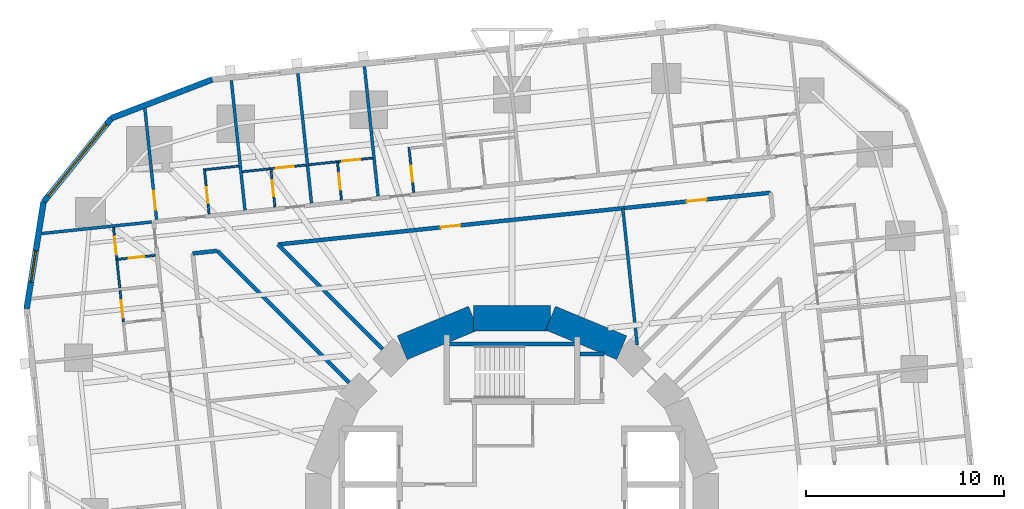
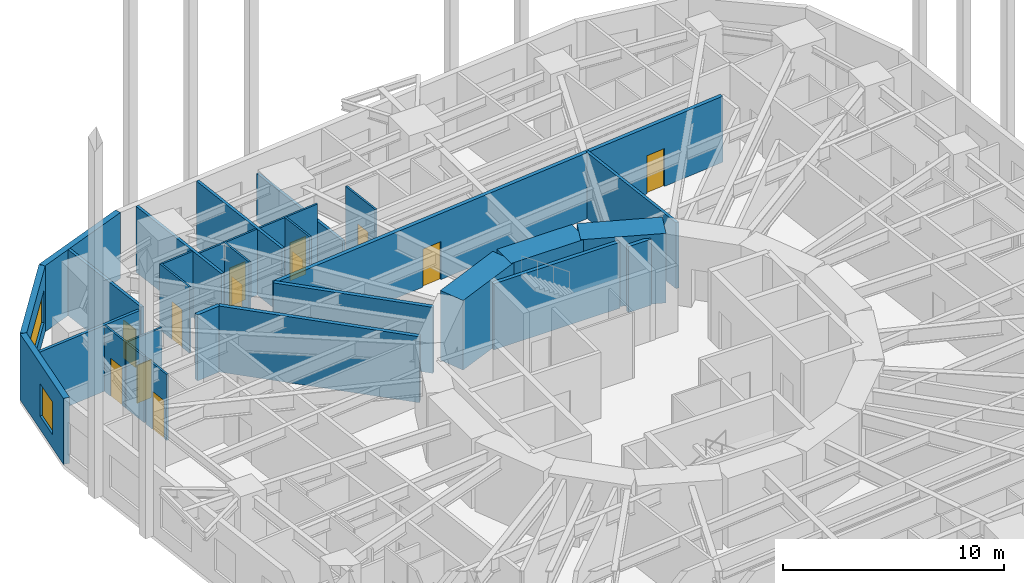
# One storey, part 10 of 13: 31 walls, 12 doors, 2 windows, 14 openings.
"""IFC4 building model written with IfcOpenShell, lengths in metres."""

import ifcopenshell
import ifcopenshell.guid

model = None  # the IFC model being written
_history = None  # IfcOwnerHistory: only IFC2X3 demands one
_inside = {}  # id of a spatial element -> (the spatial element, [elements in it])
_under = {}  # id of a project, library or spatial element -> (it, [spatial elements below it])
_declared = {}  # id of a project -> (the project, [libraries it declares])
_typed = {}  # id of a type object -> (the type object, [elements of that type])
_made_of = {}  # id of a material, layer set ... -> (it, [elements and type objects made of it])


def new_model(schema):
    """Start an empty IFC model of exactly this schema.

    Asked for "IFC4X3", IfcOpenShell would pick the latest addendum, in which some entities
    have other attributes; the version numbers below select the first issue.
    IFC2X3 requires an IfcOwnerHistory on every rooted entity: one is made here for all.
    """
    global model, _history
    if schema == "IFC4X3":
        model = ifcopenshell.file(schema_version=(4, 3, 0, 0))
    else:
        model = ifcopenshell.file(schema=schema)
    _inside.clear()
    _under.clear()
    _declared.clear()
    _typed.clear()
    _made_of.clear()
    _history = None
    if model.schema == "IFC2X3":
        org = make("IfcOrganization", Name="unknown")
        user = make(
            "IfcPersonAndOrganization",
            ThePerson=make("IfcPerson", FamilyName="unknown"),
            TheOrganization=org,
        )
        app = make(
            "IfcApplication",
            ApplicationDeveloper=org,
            Version="unknown",
            ApplicationFullName="unknown",
            ApplicationIdentifier="unknown",
        )
        _history = make(
            "IfcOwnerHistory",
            OwningUser=user,
            OwningApplication=app,
            ChangeAction="ADDED",
            CreationDate=0,
        )
    return model


def make(cls, **values):
    """One entity of the class cls with the attributes given. An attribute that is None is left unset."""
    return model.create_entity(
        cls, **{name: value for name, value in values.items() if value is not None}
    )


def rooted(cls, **values):
    """An entity with a GlobalId (a new one), such as an element, a storey or a relation."""
    return make(cls, GlobalId=ifcopenshell.guid.new(), OwnerHistory=_history, **values)


def si_unit(unit_type, name, prefix=None):
    """IfcSIUnit, for example si_unit("LENGTHUNIT", "METRE", prefix="MILLI")."""
    return make("IfcSIUnit", UnitType=unit_type, Prefix=prefix, Name=name)


def assignment(units):
    """IfcUnitAssignment: the units of a project."""
    return None if units is None else make("IfcUnitAssignment", Units=units)


def point(xyz):
    """IfcCartesianPoint."""
    return None if xyz is None else make("IfcCartesianPoint", Coordinates=xyz)


def direction(xyz):
    """IfcDirection."""
    return None if xyz is None else make("IfcDirection", DirectionRatios=xyz)


def frame(location, z_axis=None, x_axis=None):
    """IfcAxis2Placement3D, a coordinate frame: its origin and axes. An axis left out is left unset."""
    return make(
        "IfcAxis2Placement3D",
        Location=point(location),
        Axis=direction(z_axis),
        RefDirection=direction(x_axis),
    )


def frame_2d(location, x_axis=None):
    """IfcAxis2Placement2D, a coordinate frame in the plane: its origin and x axis."""
    return make(
        "IfcAxis2Placement2D", Location=point(location), RefDirection=direction(x_axis)
    )


def origin():
    """The frame at (0, 0, 0) with its axes left unset."""
    return frame((0.0, 0.0, 0.0))


def place(relative_to, where):
    """IfcLocalPlacement: puts the frame where relative to a parent placement (None: the world)."""
    return make(
        "IfcLocalPlacement", PlacementRelTo=relative_to, RelativePlacement=where
    )


def context(
    kind, dimensions, precision=None, world=None, true_north=None, identifier=None
):
    """IfcGeometricRepresentationContext, for example the 3D "Model" context."""
    return make(
        "IfcGeometricRepresentationContext",
        ContextIdentifier=identifier,
        ContextType=kind,
        CoordinateSpaceDimension=dimensions,
        Precision=precision,
        WorldCoordinateSystem=world,
        TrueNorth=true_north,
    )


def subcontext(parent, identifier, kind, view, scale=None):
    """IfcGeometricRepresentationSubContext, for example "Body" below "Model"."""
    return make(
        "IfcGeometricRepresentationSubContext",
        ContextIdentifier=identifier,
        ContextType=kind,
        ParentContext=parent,
        TargetScale=scale,
        TargetView=view,
    )


def project(units=None, contexts=None):
    """IfcProject with its units and contexts."""
    return rooted(
        "IfcProject",
        Name="project",
        RepresentationContexts=contexts,
        UnitsInContext=assignment(units),
    )


def spatial(cls, under=None, at=None, **own):
    """A site, building, storey or space (cls), placed at a placement, below another one or the project."""
    s = rooted(cls, ObjectPlacement=at, **own)
    if under is not None:
        _under.setdefault(under.id(), (under, []))[1].append(s)
    return s


def profile(cls, at=None, kind="AREA", **sizes):
    """A parametric profile (cls). Its sizes go by their IFC names, for example OverallWidth=200.0."""
    return make(cls, ProfileType=kind, Position=at, **sizes)


def rectangle(**sizes):
    """IfcRectangleProfileDef."""
    return profile("IfcRectangleProfileDef", **sizes)


def extrude(swept, where, along, depth):
    """IfcExtrudedAreaSolid: the profile swept, set in the frame where, extruded along a direction by depth."""
    return make(
        "IfcExtrudedAreaSolid",
        SweptArea=swept,
        Position=where,
        ExtrudedDirection=direction(along),
        Depth=depth,
    )


def shape(context_of_items, identifier, shape_type, items):
    """IfcShapeRepresentation: the items that make up one representation, for example the "Body"."""
    return make(
        "IfcShapeRepresentation",
        ContextOfItems=context_of_items,
        RepresentationIdentifier=identifier,
        RepresentationType=shape_type,
        Items=items,
    )


def material(Name=None, Category=None):
    """IfcMaterial."""
    return make("IfcMaterial", Name=Name, Category=Category)


def layer(
    of_material, thickness, ventilated=None, Name=None, Category=None, Priority=None
):
    """IfcMaterialLayer: one layer of a wall or slab, of a material (None: an air gap)."""
    return make(
        "IfcMaterialLayer",
        Material=of_material,
        LayerThickness=thickness,
        IsVentilated=ventilated,
        Name=Name,
        Category=Category,
        Priority=Priority,
    )


def layer_set(layers, Name=None):
    """IfcMaterialLayerSet."""
    return make("IfcMaterialLayerSet", MaterialLayers=layers, LayerSetName=Name)


def made_of(thing, what):
    """Note that an element or type object is made of a material, layer set ...; save() writes the relation."""
    if what is not None:
        _made_of.setdefault(what.id(), (what, []))[1].append(thing)
    return thing


def type_object(cls, material=None, **own):
    """A type object (cls), such as IfcWallType, which elements share."""
    return made_of(rooted(cls, **own), material)


def element(
    cls,
    number,
    at=None,
    inside=None,
    cuts=None,
    type_object=None,
    material=None,
    context=None,
    identifier="Body",
    shape_type=None,
    held_by="IfcProductDefinitionShape",
    body=None,
    shapes=None,
    **own,
):
    """One element of the class cls, such as IfcWall. Its Tag is "e" and its number.

    at: its placement. inside: the storey or other place that contains it. cuts: it is an
    opening in that element (IfcRelVoidsElement). A single representation is given by context,
    identifier, shape_type and body (its items); several are given by shapes. held_by: the class
    of the entity that holds the representations. save() writes the other relations.
    """
    e = rooted(cls, Tag="e%d" % number, ObjectPlacement=at, **own)
    if body is not None:
        shapes = [shape(context, identifier, shape_type, body)]
    if shapes is not None:
        e.Representation = make(held_by, Representations=shapes)
    if inside is not None:
        _inside.setdefault(inside.id(), (inside, []))[1].append(e)
    if cuts is not None:
        rooted(
            "IfcRelVoidsElement", RelatingBuildingElement=cuts, RelatedOpeningElement=e
        )
    if type_object is not None:
        _typed.setdefault(type_object.id(), (type_object, []))[1].append(e)
    return made_of(e, material)


def fill(opening, filler):
    """IfcRelFillsElement: the door or window that sits in an opening."""
    return rooted(
        "IfcRelFillsElement",
        RelatingOpeningElement=opening,
        RelatedBuildingElement=filler,
    )


def aggregate(whole, parts):
    """IfcRelAggregates: a whole, such as a stair, and the parts it consists of."""
    return rooted("IfcRelAggregates", RelatingObject=whole, RelatedObjects=parts)


def save(model, path):
    """Write the relations noted so far, then the file.

    IfcRelAggregates (storeys below a building ...), IfcRelContainedInSpatialStructure (elements
    in a storey), IfcRelDefinesByType, IfcRelAssociatesMaterial and IfcRelDeclares: one each for
    every whole, place, type object, material and project.
    """
    for whole, parts in _under.values():
        aggregate(whole, parts)
    for where, things in _inside.values():
        rooted(
            "IfcRelContainedInSpatialStructure",
            RelatedElements=things,
            RelatingStructure=where,
        )
    for kind, things in _typed.values():
        rooted("IfcRelDefinesByType", RelatedObjects=things, RelatingType=kind)
    for what, things in _made_of.values():
        rooted("IfcRelAssociatesMaterial", RelatedObjects=things, RelatingMaterial=what)
    for by, libraries in _declared.values():
        rooted("IfcRelDeclares", RelatingContext=by, RelatedDefinitions=libraries)
    model.write(path)


model = new_model("IFC4")

# Units and contexts
model_context = context("Model", 3, precision=1e-05, world=origin(), true_north=direction((0.0, 1.0)))
body_context = subcontext(model_context, "Body", "Model", "MODEL_VIEW")
ifc_project = project(units=[si_unit("LENGTHUNIT", "METRE"), si_unit("AREAUNIT", "SQUARE_METRE"), si_unit("VOLUMEUNIT", "CUBIC_METRE"), si_unit("PLANEANGLEUNIT", "RADIAN"), si_unit("MASSUNIT", "GRAM", prefix="KILO")], contexts=[model_context])

# Site, building, storey
site_placement = place(None, origin())
site = spatial("IfcSite", under=ifc_project, at=site_placement, CompositionType="ELEMENT")
building_placement = place(site_placement, origin())
building = spatial("IfcBuilding", under=site, at=building_placement, Name="Nakasero Lantern House", CompositionType="ELEMENT")
storey_placement = place(building_placement, frame((0.0, 0.0, 60.5)))
storey = spatial("IfcBuildingStorey", under=building, at=storey_placement, Name="L14", CompositionType="ELEMENT", Elevation=60.5)

# Walls
ifc_material_1 = material(Name="Concrete C50/60", Category="concrete")
ifc_layer_1 = layer(ifc_material_1, 1.300048828125)
ifc_layer_set_1 = layer_set([ifc_layer_1], Name="Core wall 1300")
wall_type_1 = type_object("IfcWallType", Name="Core wall 1300", PredefinedType="SHEAR", material=ifc_layer_set_1)
for number, where, z_axis, x_axis, name in (
    (1, (5.5556640625, 8.314697265625, 0.0), (0.0, 0.0, 1.0), (-0.923876507187, 0.382690736062, 0.0), "Core wall L14 facet 3"),
    (2, (1.950927734375, 9.807861328125, 0.0), (0.0, 0.0, 1.0), (-1.0, 0.0, 0.0), "Core wall L14 facet 4"),
    (3, (-1.950927734375, 9.807861328125, 0.0), (0.0, 0.0, 1.0), (-0.923876507187, -0.382690736062, 0.0), "Core wall L14 facet 5"),
):
    element("IfcWall", number, at=place(storey_placement, frame(where, z_axis=z_axis, x_axis=x_axis)), inside=storey, type_object=wall_type_1, Name=name, PredefinedType="SHEAR", context=body_context, shape_type="SweptSolid", body=[
        extrude(rectangle(XDim=3.90185546875, YDim=1.300048828125, at=frame_2d((1.950927734375, 0.0))), origin(), (0.0, 0.0, 1.0), 3.85009765625),
    ])

# Wall, openings, doors
ifc_material_2 = material(Name="Blockwork", Category="masonry")
ifc_layer_2 = layer(ifc_material_2, 0.199951171875)
ifc_layer_set_2 = layer_set([ifc_layer_2], Name="Corridor wall 200")
wall_type_2 = type_object("IfcWallType", Name="Corridor wall 200", PredefinedType="PARTITIONING", material=ifc_layer_set_2)
wall_1_placement = place(storey_placement, frame((13.0830078125, 16.156005859375, 0.0), z_axis=(0.0, 0.0, 1.0), x_axis=(-0.994522255552, -0.104525036292, 0.0)))
wall_1 = element("IfcWall", 4, at=wall_1_placement, inside=storey, type_object=wall_type_2, Name="Corridor wall L14 IW1-0", PredefinedType="PARTITIONING", context=body_context, shape_type="SweptSolid", body=[
    extrude(rectangle(XDim=25.059814453125, YDim=0.199951171875, at=frame_2d((12.52978515625, 0.0))), origin(), (0.0, 0.0, 1.0), 3.64990234375),
])
opening_1_placement = place(wall_1_placement, frame((3.259033203125, 0.0, 0.0)))
opening_1 = element("IfcOpeningElement", 5, at=opening_1_placement, cuts=wall_1, Name="Opening D07", PredefinedType="OPENING", context=body_context, shape_type="SweptSolid", body=[
    extrude(rectangle(XDim=1.0, YDim=2.10009765625, at=frame_2d((0.5, 1.050048828125))), frame((0.0, 0.119873046875, 0.0), z_axis=(0.0, -1.0, 0.0), x_axis=(1.0, 0.0, 0.0)), (0.0, 0.0, 1.0), 0.239990234375),
])
opening_2_placement = place(wall_1_placement, frame((15.788818359375, 0.0, 0.0)))
opening_2 = element("IfcOpeningElement", 6, at=opening_2_placement, cuts=wall_1, Name="Opening D07", PredefinedType="OPENING", context=body_context, shape_type="SweptSolid", body=[
    extrude(rectangle(XDim=1.0, YDim=2.10009765625, at=frame_2d((0.5, 1.050048828125))), frame((0.0, 0.119873046875, 0.0), z_axis=(0.0, -1.0, 0.0), x_axis=(1.0, 0.0, 0.0)), (0.0, 0.0, 1.0), 0.239990234375),
])
ifc_material_3 = material(Name="Timber C24", Category="wood")
door_type_1 = type_object("IfcDoorType", Name="Room door FD30S 1000", OperationType="SINGLE_SWING_LEFT", PredefinedType="DOOR", material=ifc_material_3)
door_1_placement = place(opening_1_placement, origin())
door_1 = element("IfcDoor", 7, at=door_1_placement, inside=storey, type_object=door_type_1, Name="Door L14 DI2", OperationType="SINGLE_SWING_LEFT", OverallHeight=2.10009765625, OverallWidth=1.0, PredefinedType="DOOR", context=body_context, shape_type="SweptSolid", body=[
    extrude(rectangle(XDim=1.0, YDim=2.10009765625, at=frame_2d((0.5, 1.050048828125))), frame((0.0, 0.02490234375, 0.0), z_axis=(0.0, -1.0, 0.0), x_axis=(1.0, 0.0, 0.0)), (0.0, 0.0, 1.0), 0.050048828125),
])
fill(opening_1, door_1)
door_2_placement = place(opening_2_placement, origin())
door_2 = element("IfcDoor", 8, at=door_2_placement, inside=storey, type_object=door_type_1, Name="Door L14 DI2S", OperationType="SINGLE_SWING_RIGHT", OverallHeight=2.10009765625, OverallWidth=1.0, PredefinedType="DOOR", context=body_context, shape_type="SweptSolid", body=[
    extrude(rectangle(XDim=1.0, YDim=2.10009765625, at=frame_2d((0.5, 1.050048828125))), frame((0.0, 0.02490234375, 0.0), z_axis=(0.0, -1.0, 0.0), x_axis=(1.0, 0.0, 0.0)), (0.0, 0.0, 1.0), 0.050048828125),
])
fill(opening_2, door_2)

# Walls
wall_2_placement = place(storey_placement, frame((-14.910888671875, 13.2138671875, 0.0), z_axis=(0.0, 0.0, 1.0), x_axis=(-0.994522535937, -0.104522368483, 0.0)))
element("IfcWall", 9, at=wall_2_placement, inside=storey, type_object=wall_type_2, Name="Corridor wall L14 IW1-1", PredefinedType="PARTITIONING", context=body_context, shape_type="SweptSolid", body=[
    extrude(rectangle(XDim=1.251953125, YDim=0.199951171875, at=frame_2d((0.6259765625, 0.0))), origin(), (0.0, 0.0, 1.0), 3.64990234375),
])
wall_3_placement = place(storey_placement, frame((-8.243408203125, 6.54638671875, 0.0), z_axis=(0.0, 0.0, 1.0), x_axis=(-0.707106781187, 0.707106781187, 0.0)))
element("IfcWall", 10, at=wall_3_placement, inside=storey, type_object=wall_type_2, Name="Corridor wall L14 PS06a", PredefinedType="PARTITIONING", context=body_context, shape_type="SweptSolid", body=[
    extrude(rectangle(XDim=9.42919921875, YDim=0.199951171875, at=frame_2d((4.714599609375, 0.0))), origin(), (0.0, 0.0, 1.0), 3.64990234375),
])
wall_4_placement = place(storey_placement, frame((-6.54638671875, 8.243408203125, 0.0), z_axis=(0.0, 0.0, 1.0), x_axis=(-0.707106781187, 0.707106781187, 0.0)))
element("IfcWall", 11, at=wall_4_placement, inside=storey, type_object=wall_type_2, Name="Corridor wall L14 PS06b", PredefinedType="PARTITIONING", context=body_context, shape_type="SweptSolid", body=[
    extrude(rectangle(XDim=7.48583984375, YDim=0.199951171875, at=frame_2d((3.742919921875, 0.0))), origin(), (0.0, 0.0, 1.0), 3.64990234375),
])

# Wall, opening, door
ifc_material_4 = material(Name="Blockwork", Category="masonry")
ifc_layer_3 = layer(ifc_material_4, 0.10009765625)
ifc_layer_set_3 = layer_set([ifc_layer_3], Name="En-suite wall 100")
wall_type_3 = type_object("IfcWallType", Name="En-suite wall 100", PredefinedType="PARTITIONING", material=ifc_layer_set_3)
wall_5_placement = place(storey_placement, frame((-4.9736328125, 16.168701171875, 0.0), z_axis=(0.0, 0.0, 1.0), x_axis=(-0.104557694553, 0.994518822602, 0.0)))
wall_5 = element("IfcWall", 12, at=wall_5_placement, inside=storey, type_object=wall_type_3, Name="En-suite wall L14 ES1-05", PredefinedType="PARTITIONING", context=body_context, shape_type="SweptSolid", body=[
    extrude(rectangle(XDim=2.300048828125, YDim=0.10009765625, at=frame_2d((1.14990234375, 0.0))), origin(), (0.0, 0.0, 1.0), 3.64990234375),
])
opening_3_placement = place(wall_5_placement, frame((0.550048828125, 0.0, 0.0)))
opening_3 = element("IfcOpeningElement", 13, at=opening_3_placement, cuts=wall_5, Name="Opening D02", PredefinedType="OPENING", context=body_context, shape_type="SweptSolid", body=[
    extrude(rectangle(XDim=0.800048828125, YDim=2.10009765625, at=frame_2d((0.39990234375, 1.050048828125))), frame((0.0, 0.070068359375, 0.0), z_axis=(0.0, -1.0, 0.0), x_axis=(1.0, 0.0, 0.0)), (0.0, 0.0, 1.0), 0.14013671875),
])
ifc_material_5 = material(Name="Timber C24", Category="wood")
door_type_2 = type_object("IfcDoorType", Name="En-suite door 800", OperationType="SINGLE_SWING_RIGHT", PredefinedType="DOOR", material=ifc_material_5)
door_3_placement = place(opening_3_placement, origin())
door_3 = element("IfcDoor", 14, at=door_3_placement, inside=storey, type_object=door_type_2, Name="Door L14 DE1-05", OperationType="SINGLE_SWING_LEFT", OverallHeight=2.10009765625, OverallWidth=0.800048828125, PredefinedType="DOOR", context=body_context, shape_type="SweptSolid", body=[
    extrude(rectangle(XDim=0.800048828125, YDim=2.10009765625, at=frame_2d((0.39990234375, 1.050048828125))), frame((0.0, 0.02490234375, 0.0), z_axis=(0.0, -1.0, 0.0), x_axis=(1.0, 0.0, 0.0)), (0.0, 0.0, 1.0), 0.050048828125),
])
fill(opening_3, door_3)

wall_6_placement = place(storey_placement, frame((-8.627685546875, 15.78466796875, 0.0), z_axis=(0.0, 0.0, 1.0), x_axis=(-0.104614886044, 0.994512808172, 0.0)))
wall_6 = element("IfcWall", 15, at=wall_6_placement, inside=storey, type_object=wall_type_3, Name="En-suite wall L14 ES1-06", PredefinedType="PARTITIONING", context=body_context, shape_type="SweptSolid", body=[
    extrude(rectangle(XDim=2.0, YDim=0.10009765625, at=frame_2d((1.0, 0.0))), origin(), (0.0, 0.0, 1.0), 3.64990234375),
])
opening_4_placement = place(wall_6_placement, frame((0.550048828125, 0.0, 0.0)))
opening_4 = element("IfcOpeningElement", 16, at=opening_4_placement, cuts=wall_6, Name="Opening D02", PredefinedType="OPENING", context=body_context, shape_type="SweptSolid", body=[
    extrude(rectangle(XDim=0.800048828125, YDim=2.10009765625, at=frame_2d((0.39990234375, 1.050048828125))), frame((0.0, 0.070068359375, 0.0), z_axis=(0.0, -1.0, 0.0), x_axis=(1.0, 0.0, 0.0)), (0.0, 0.0, 1.0), 0.14013671875),
])
door_4_placement = place(opening_4_placement, origin())
door_4 = element("IfcDoor", 17, at=door_4_placement, inside=storey, type_object=door_type_2, Name="Door L14 DE1-06", OperationType="SINGLE_SWING_LEFT", OverallHeight=2.10009765625, OverallWidth=0.800048828125, PredefinedType="DOOR", context=body_context, shape_type="SweptSolid", body=[
    extrude(rectangle(XDim=0.800048828125, YDim=2.10009765625, at=frame_2d((0.39990234375, 1.050048828125))), frame((0.0, 0.02490234375, 0.0), z_axis=(0.0, -1.0, 0.0), x_axis=(1.0, 0.0, 0.0)), (0.0, 0.0, 1.0), 0.050048828125),
])
fill(opening_4, door_4)

# Wall
wall_7_placement = place(storey_placement, frame((-8.88134765625, 17.71875, 0.0), z_axis=(0.0, 0.0, 1.0), x_axis=(-0.994511184598, -0.104630319263, 0.0)))
element("IfcWall", 18, at=wall_7_placement, inside=storey, type_object=wall_type_3, Name="En-suite wall L14 EE1-06", PredefinedType="PARTITIONING", context=body_context, shape_type="SweptSolid", body=[
    extrude(rectangle(XDim=1.39990234375, YDim=0.10009765625, at=frame_2d((0.699951171875, 0.0))), origin(), (0.0, 0.0, 1.0), 3.64990234375),
])

# Wall, opening, door
wall_8_placement = place(storey_placement, frame((-11.994873046875, 15.4306640625, 0.0), z_axis=(0.0, 0.0, 1.0), x_axis=(-0.104494148666, 0.99452550138, 0.0)))
wall_8 = element("IfcWall", 19, at=wall_8_placement, inside=storey, type_object=wall_type_3, Name="En-suite wall L14 ES1-07", PredefinedType="PARTITIONING", context=body_context, shape_type="SweptSolid", body=[
    extrude(rectangle(XDim=2.0, YDim=0.10009765625, at=frame_2d((1.0, 0.0))), origin(), (0.0, 0.0, 1.0), 3.64990234375),
])
opening_5_placement = place(wall_8_placement, frame((0.550048828125, 0.0, 0.0)))
opening_5 = element("IfcOpeningElement", 20, at=opening_5_placement, cuts=wall_8, Name="Opening D02", PredefinedType="OPENING", context=body_context, shape_type="SweptSolid", body=[
    extrude(rectangle(XDim=0.800048828125, YDim=2.10009765625, at=frame_2d((0.39990234375, 1.050048828125))), frame((0.0, 0.070068359375, 0.0), z_axis=(0.0, -1.0, 0.0), x_axis=(1.0, 0.0, 0.0)), (0.0, 0.0, 1.0), 0.14013671875),
])
door_5_placement = place(opening_5_placement, origin())
door_5 = element("IfcDoor", 21, at=door_5_placement, inside=storey, type_object=door_type_2, Name="Door L14 DE1-07", OperationType="SINGLE_SWING_LEFT", OverallHeight=2.10009765625, OverallWidth=0.800048828125, PredefinedType="DOOR", context=body_context, shape_type="SweptSolid", body=[
    extrude(rectangle(XDim=0.800048828125, YDim=2.10009765625, at=frame_2d((0.39990234375, 1.050048828125))), frame((0.0, 0.02490234375, 0.0), z_axis=(0.0, -1.0, 0.0), x_axis=(1.0, 0.0, 0.0)), (0.0, 0.0, 1.0), 0.050048828125),
])
fill(opening_5, door_5)

# Wall
wall_9_placement = place(storey_placement, frame((-12.248291015625, 17.36474609375, 0.0), z_axis=(0.0, 0.0, 1.0), x_axis=(-0.994529315664, -0.104457839748, 0.0)))
element("IfcWall", 22, at=wall_9_placement, inside=storey, type_object=wall_type_3, Name="En-suite wall L14 EE1-07", PredefinedType="PARTITIONING", context=body_context, shape_type="SweptSolid", body=[
    extrude(rectangle(XDim=1.39990234375, YDim=0.10009765625, at=frame_2d((0.699951171875, 0.0))), origin(), (0.0, 0.0, 1.0), 3.64990234375),
])

# Wall, opening, door
wall_10_placement = place(storey_placement, frame((-15.326416015625, 15.08056640625, 0.0), z_axis=(0.0, 0.0, 1.0), x_axis=(-0.104557694553, 0.994518822602, 0.0)))
wall_10 = element("IfcWall", 23, at=wall_10_placement, inside=storey, type_object=wall_type_3, Name="En-suite wall L14 ES1-08", PredefinedType="PARTITIONING", context=body_context, shape_type="SweptSolid", body=[
    extrude(rectangle(XDim=2.300048828125, YDim=0.10009765625, at=frame_2d((1.14990234375, 0.0))), origin(), (0.0, 0.0, 1.0), 3.64990234375),
])
opening_6_placement = place(wall_10_placement, frame((0.550048828125, 0.0, 0.0)))
opening_6 = element("IfcOpeningElement", 24, at=opening_6_placement, cuts=wall_10, Name="Opening D02", PredefinedType="OPENING", context=body_context, shape_type="SweptSolid", body=[
    extrude(rectangle(XDim=0.800048828125, YDim=2.10009765625, at=frame_2d((0.39990234375, 1.050048828125))), frame((0.0, 0.070068359375, 0.0), z_axis=(0.0, -1.0, 0.0), x_axis=(1.0, 0.0, 0.0)), (0.0, 0.0, 1.0), 0.14013671875),
])
door_6_placement = place(opening_6_placement, origin())
door_6 = element("IfcDoor", 25, at=door_6_placement, inside=storey, type_object=door_type_2, Name="Door L14 DE1-08", OperationType="SINGLE_SWING_LEFT", OverallHeight=2.10009765625, OverallWidth=0.800048828125, PredefinedType="DOOR", context=body_context, shape_type="SweptSolid", body=[
    extrude(rectangle(XDim=0.800048828125, YDim=2.10009765625, at=frame_2d((0.39990234375, 1.050048828125))), frame((0.0, 0.02490234375, 0.0), z_axis=(0.0, -1.0, 0.0), x_axis=(1.0, 0.0, 0.0)), (0.0, 0.0, 1.0), 0.050048828125),
])
fill(opening_6, door_6)

# Wall
wall_11_placement = place(storey_placement, frame((-13.8212890625, 17.501220703125, 0.0), z_axis=(0.0, 0.0, 1.0), x_axis=(-0.994519608382, -0.104550220202, 0.0)))
element("IfcWall", 26, at=wall_11_placement, inside=storey, type_object=wall_type_3, Name="En-suite wall L14 EE1-08", PredefinedType="PARTITIONING", context=body_context, shape_type="SweptSolid", body=[
    extrude(rectangle(XDim=1.699951171875, YDim=0.10009765625, at=frame_2d((0.85009765625, 0.0))), origin(), (0.0, 0.0, 1.0), 3.64990234375),
])

# Wall, opening, door
wall_12_placement = place(storey_placement, frame((-18.05615234375, 12.9833984375, 0.0), z_axis=(0.0, 0.0, 1.0), x_axis=(-0.99452550138, -0.104494148666, 0.0)))
wall_12 = element("IfcWall", 27, at=wall_12_placement, inside=storey, type_object=wall_type_3, Name="En-suite wall L14 ES2-00", PredefinedType="PARTITIONING", context=body_context, shape_type="SweptSolid", body=[
    extrude(rectangle(XDim=2.0, YDim=0.10009765625, at=frame_2d((1.0, 0.0))), origin(), (0.0, 0.0, 1.0), 3.64990234375),
])
opening_7_placement = place(wall_12_placement, frame((0.550048828125, 0.0, 0.0)))
opening_7 = element("IfcOpeningElement", 28, at=opening_7_placement, cuts=wall_12, Name="Opening D02", PredefinedType="OPENING", context=body_context, shape_type="SweptSolid", body=[
    extrude(rectangle(XDim=0.800048828125, YDim=2.10009765625, at=frame_2d((0.39990234375, 1.050048828125))), frame((0.0, 0.070068359375, 0.0), z_axis=(0.0, -1.0, 0.0), x_axis=(1.0, 0.0, 0.0)), (0.0, 0.0, 1.0), 0.14013671875),
])
door_7_placement = place(opening_7_placement, origin())
door_7 = element("IfcDoor", 29, at=door_7_placement, inside=storey, type_object=door_type_2, Name="Door L14 DE2-00", OperationType="SINGLE_SWING_LEFT", OverallHeight=2.10009765625, OverallWidth=0.800048828125, PredefinedType="DOOR", context=body_context, shape_type="SweptSolid", body=[
    extrude(rectangle(XDim=0.800048828125, YDim=2.10009765625, at=frame_2d((0.39990234375, 1.050048828125))), frame((0.0, 0.02490234375, 0.0), z_axis=(0.0, -1.0, 0.0), x_axis=(1.0, 0.0, 0.0)), (0.0, 0.0, 1.0), 0.050048828125),
])
fill(opening_7, door_7)

# Wall
wall_13_placement = place(storey_placement, frame((-19.990234375, 12.72998046875, 0.0), z_axis=(0.0, 0.0, 1.0), x_axis=(0.104630319263, -0.994511184598, 0.0)))
element("IfcWall", 30, at=wall_13_placement, inside=storey, type_object=wall_type_3, Name="En-suite wall L14 EE2-00", PredefinedType="PARTITIONING", context=body_context, shape_type="SweptSolid", body=[
    extrude(rectangle(XDim=1.39990234375, YDim=0.10009765625, at=frame_2d((0.699951171875, 0.0))), origin(), (0.0, 0.0, 1.0), 3.64990234375),
])

# Wall, opening, door
wall_14_placement = place(storey_placement, frame((-7.055908203125, 17.91064453125, 0.0), z_axis=(0.0, 0.0, 1.0), x_axis=(-0.99452316669, -0.10451636674, 0.0)))
wall_14 = element("IfcWall", 31, at=wall_14_placement, inside=storey, type_object=wall_type_3, Name="En-suite wall L14 EL1-06", PredefinedType="PARTITIONING", context=body_context, shape_type="SweptSolid", body=[
    extrude(rectangle(XDim=1.735595703125, YDim=0.10009765625, at=frame_2d((0.86767578125, 0.0))), origin(), (0.0, 0.0, 1.0), 3.64990234375),
])
opening_8_placement = place(wall_14_placement, frame((0.635498046875, 0.0, 0.0)))
opening_8 = element("IfcOpeningElement", 32, at=opening_8_placement, cuts=wall_14, Name="Opening D17", PredefinedType="OPENING", context=body_context, shape_type="SweptSolid", body=[
    extrude(rectangle(XDim=0.89990234375, YDim=2.10009765625, at=frame_2d((0.449951171875, 1.050048828125))), frame((0.0, 0.070068359375, 0.0), z_axis=(0.0, -1.0, 0.0), x_axis=(1.0, 0.0, 0.0)), (0.0, 0.0, 1.0), 0.14013671875),
])
ifc_material_6 = material(Name="Timber C24", Category="wood")
door_type_3 = type_object("IfcDoorType", Name="Bedroom door FD30S 900", OperationType="SINGLE_SWING_LEFT", PredefinedType="DOOR", material=ifc_material_6)
door_8_placement = place(opening_8_placement, origin())
door_8 = element("IfcDoor", 33, at=door_8_placement, inside=storey, type_object=door_type_3, Name="Door L14 DL1-06", OperationType="SINGLE_SWING_RIGHT", OverallHeight=2.10009765625, OverallWidth=0.89990234375, PredefinedType="DOOR", context=body_context, shape_type="SweptSolid", body=[
    extrude(rectangle(XDim=0.89990234375, YDim=2.10009765625, at=frame_2d((0.449951171875, 1.050048828125))), frame((0.0, 0.02490234375, 0.0), z_axis=(0.0, -1.0, 0.0), x_axis=(1.0, 0.0, 0.0)), (0.0, 0.0, 1.0), 0.050048828125),
])
fill(opening_8, door_8)

wall_15_placement = place(storey_placement, frame((-10.4228515625, 17.556640625, 0.0), z_axis=(0.0, 0.0, 1.0), x_axis=(-0.99452316669, -0.10451636674, 0.0)))
wall_15 = element("IfcWall", 34, at=wall_15_placement, inside=storey, type_object=wall_type_3, Name="En-suite wall L14 EL1-07", PredefinedType="PARTITIONING", context=body_context, shape_type="SweptSolid", body=[
    extrude(rectangle(XDim=1.735595703125, YDim=0.10009765625, at=frame_2d((0.86767578125, 0.0))), origin(), (0.0, 0.0, 1.0), 3.64990234375),
])
opening_9_placement = place(wall_15_placement, frame((0.635498046875, 0.0, 0.0)))
opening_9 = element("IfcOpeningElement", 35, at=opening_9_placement, cuts=wall_15, Name="Opening D17", PredefinedType="OPENING", context=body_context, shape_type="SweptSolid", body=[
    extrude(rectangle(XDim=0.89990234375, YDim=2.10009765625, at=frame_2d((0.449951171875, 1.050048828125))), frame((0.0, 0.070068359375, 0.0), z_axis=(0.0, -1.0, 0.0), x_axis=(1.0, 0.0, 0.0)), (0.0, 0.0, 1.0), 0.14013671875),
])
door_9_placement = place(opening_9_placement, origin())
door_9 = element("IfcDoor", 36, at=door_9_placement, inside=storey, type_object=door_type_3, Name="Door L14 DL1-07", OperationType="SINGLE_SWING_RIGHT", OverallHeight=2.10009765625, OverallWidth=0.89990234375, PredefinedType="DOOR", context=body_context, shape_type="SweptSolid", body=[
    extrude(rectangle(XDim=0.89990234375, YDim=2.10009765625, at=frame_2d((0.449951171875, 1.050048828125))), frame((0.0, 0.02490234375, 0.0), z_axis=(0.0, -1.0, 0.0), x_axis=(1.0, 0.0, 0.0)), (0.0, 0.0, 1.0), 0.050048828125),
])
fill(opening_9, door_9)

wall_16_placement = place(storey_placement, frame((-20.165283203125, 14.39599609375, 0.0), z_axis=(0.0, 0.0, 1.0), x_axis=(0.104612176701, -0.99451309317, 0.0)))
wall_16 = element("IfcWall", 37, at=wall_16_placement, inside=storey, type_object=wall_type_3, Name="En-suite wall L14 EL2-00", PredefinedType="PARTITIONING", context=body_context, shape_type="SweptSolid", body=[
    extrude(rectangle(XDim=1.5751953125, YDim=0.10009765625, at=frame_2d((0.78759765625, 0.0))), origin(), (0.0, 0.0, 1.0), 3.64990234375),
])
opening_10_placement = place(wall_16_placement, frame((0.475341796875, 0.0, 0.0)))
opening_10 = element("IfcOpeningElement", 38, at=opening_10_placement, cuts=wall_16, Name="Opening D17", PredefinedType="OPENING", context=body_context, shape_type="SweptSolid", body=[
    extrude(rectangle(XDim=0.89990234375, YDim=2.10009765625, at=frame_2d((0.449951171875, 1.050048828125))), frame((0.0, 0.070068359375, 0.0), z_axis=(0.0, -1.0, 0.0), x_axis=(1.0, 0.0, 0.0)), (0.0, 0.0, 1.0), 0.14013671875),
])
door_10_placement = place(opening_10_placement, origin())
door_10 = element("IfcDoor", 39, at=door_10_placement, inside=storey, type_object=door_type_3, Name="Door L14 DL2-00", OperationType="SINGLE_SWING_RIGHT", OverallHeight=2.10009765625, OverallWidth=0.89990234375, PredefinedType="DOOR", context=body_context, shape_type="SweptSolid", body=[
    extrude(rectangle(XDim=0.89990234375, YDim=2.10009765625, at=frame_2d((0.449951171875, 1.050048828125))), frame((0.0, 0.02490234375, 0.0), z_axis=(0.0, -1.0, 0.0), x_axis=(1.0, 0.0, 0.0)), (0.0, 0.0, 1.0), 0.050048828125),
])
fill(opening_10, door_10)

wall_17_placement = place(storey_placement, frame((-19.828125, 11.1884765625, 0.0), z_axis=(0.0, 0.0, 1.0), x_axis=(0.104458888039, -0.994529205559, 0.0)))
wall_17 = element("IfcWall", 40, at=wall_17_placement, inside=storey, type_object=wall_type_3, Name="En-suite wall L14 EL2-01", PredefinedType="PARTITIONING", context=body_context, shape_type="SweptSolid", body=[
    extrude(rectangle(XDim=1.5751953125, YDim=0.10009765625, at=frame_2d((0.78759765625, 0.0))), origin(), (0.0, 0.0, 1.0), 3.64990234375),
])
opening_11_placement = place(wall_17_placement, frame((0.475341796875, 0.0, 0.0)))
opening_11 = element("IfcOpeningElement", 41, at=opening_11_placement, cuts=wall_17, Name="Opening D17", PredefinedType="OPENING", context=body_context, shape_type="SweptSolid", body=[
    extrude(rectangle(XDim=0.89990234375, YDim=2.10009765625, at=frame_2d((0.449951171875, 1.050048828125))), frame((0.0, 0.070068359375, 0.0), z_axis=(0.0, -1.0, 0.0), x_axis=(1.0, 0.0, 0.0)), (0.0, 0.0, 1.0), 0.14013671875),
])
door_11_placement = place(opening_11_placement, origin())
door_11 = element("IfcDoor", 42, at=door_11_placement, inside=storey, type_object=door_type_3, Name="Door L14 DL2-01", OperationType="SINGLE_SWING_RIGHT", OverallHeight=2.10009765625, OverallWidth=0.89990234375, PredefinedType="DOOR", context=body_context, shape_type="SweptSolid", body=[
    extrude(rectangle(XDim=0.89990234375, YDim=2.10009765625, at=frame_2d((0.449951171875, 1.050048828125))), frame((0.0, 0.02490234375, 0.0), z_axis=(0.0, -1.0, 0.0), x_axis=(1.0, 0.0, 0.0)), (0.0, 0.0, 1.0), 0.050048828125),
])
fill(opening_11, door_11)

# Wall
ifc_material_7 = material(Name="Aluminium rainscreen on blockwork", Category="masonry")
ifc_layer_4 = layer(ifc_material_7, 0.300048828125)
ifc_layer_set_4 = layer_set([ifc_layer_4], Name="Facade wall 300")
wall_type_4 = type_object("IfcWallType", Name="Facade wall 300", PredefinedType="SOLIDWALL", material=ifc_layer_set_4)
wall_18_placement = place(storey_placement, frame((-15.170654296875, 21.884033203125, 0.0), z_axis=(0.0, 0.0, 1.0), x_axis=(-0.933583906079, -0.358358884793, 0.0)))
element("IfcWall", 43, at=wall_18_placement, inside=storey, type_object=wall_type_4, Name="Facade wall L14 FW1C1", PredefinedType="SOLIDWALL", context=body_context, shape_type="SweptSolid", body=[
    extrude(rectangle(XDim=5.461181640625, YDim=0.300048828125, at=frame_2d((2.73046875, 0.0))), origin(), (0.0, 0.0, 1.0), 3.64990234375),
])

# Wall, opening, window
wall_19_placement = place(storey_placement, frame((-20.26904296875, 19.927001953125, 0.0), z_axis=(0.0, 0.0, 1.0), x_axis=(-0.629334543442, -0.777134500863, 0.0)))
wall_19 = element("IfcWall", 44, at=wall_19_placement, inside=storey, type_object=wall_type_4, Name="Facade wall L14 FW1C2", PredefinedType="SOLIDWALL", context=body_context, shape_type="SweptSolid", body=[
    extrude(rectangle(XDim=5.4609375, YDim=0.300048828125, at=frame_2d((2.73046875, 0.0))), origin(), (0.0, 0.0, 1.0), 3.64990234375),
])
opening_12_placement = place(wall_19_placement, frame((0.39990234375, 0.0, 0.75)))
opening_12 = element("IfcOpeningElement", 45, at=opening_12_placement, cuts=wall_19, Name="Opening W246", PredefinedType="OPENING", context=body_context, shape_type="SweptSolid", body=[
    extrude(rectangle(XDim=4.660888671875, YDim=1.800048828125, at=frame_2d((2.33056640625, 0.89990234375))), frame((0.0, 0.169921875, 0.0), z_axis=(0.0, -1.0, 0.0), x_axis=(1.0, 0.0, 0.0)), (0.0, 0.0, 1.0), 0.340087890625),
])
ifc_material_8 = material(Name="Aluminium 6063-T6 and glass", Category="aluminium")
window_type_1 = type_object("IfcWindowType", Name="Corner window 4661x1800", PartitioningType="SINGLE_PANEL", PredefinedType="WINDOW", material=ifc_material_8)
window_1_placement = place(opening_12_placement, origin())
window_1 = element("IfcWindow", 46, at=window_1_placement, inside=storey, type_object=window_type_1, Name="Window L14 WC1", OverallHeight=1.800048828125, OverallWidth=4.660888671875, PartitioningType="SINGLE_PANEL", PredefinedType="WINDOW", context=body_context, shape_type="SweptSolid", body=[
    extrude(rectangle(XDim=4.660888671875, YDim=1.800048828125, at=frame_2d((2.33056640625, 0.89990234375))), frame((0.0, 0.030029296875, 0.0), z_axis=(0.0, -1.0, 0.0), x_axis=(1.0, 0.0, 0.0)), (0.0, 0.0, 1.0), 0.06005859375),
])
fill(opening_12, window_1)

wall_20_placement = place(storey_placement, frame((-23.705810546875, 15.68310546875, 0.0), z_axis=(0.0, 0.0, 1.0), x_axis=(-0.156419383601, -0.987690729142, 0.0)))
wall_20 = element("IfcWall", 47, at=wall_20_placement, inside=storey, type_object=wall_type_4, Name="Facade wall L14 FW1C3", PredefinedType="SOLIDWALL", context=body_context, shape_type="SweptSolid", body=[
    extrude(rectangle(XDim=5.461181640625, YDim=0.300048828125, at=frame_2d((2.73046875, 0.0))), origin(), (0.0, 0.0, 1.0), 3.64990234375),
])
opening_13_placement = place(wall_20_placement, frame((2.5, 0.0, 0.75)))
opening_13 = element("IfcOpeningElement", 48, at=opening_13_placement, cuts=wall_20, Name="Opening W01", PredefinedType="OPENING", context=body_context, shape_type="SweptSolid", body=[
    extrude(rectangle(XDim=1.60009765625, YDim=1.800048828125, at=frame_2d((0.800048828125, 0.89990234375))), frame((0.0, 0.169921875, 0.0), z_axis=(0.0, -1.0, 0.0), x_axis=(1.0, 0.0, 0.0)), (0.0, 0.0, 1.0), 0.340087890625),
])
ifc_material_9 = material(Name="Aluminium 6063-T6 and glass", Category="aluminium")
window_type_2 = type_object("IfcWindowType", Name="Bedroom window 1600x1800", PartitioningType="SINGLE_PANEL", PredefinedType="WINDOW", material=ifc_material_9)
window_2_placement = place(opening_13_placement, origin())
window_2 = element("IfcWindow", 49, at=window_2_placement, inside=storey, type_object=window_type_2, Name="Window L14 WN2-00", OverallHeight=1.800048828125, OverallWidth=1.60009765625, PartitioningType="SINGLE_PANEL", PredefinedType="WINDOW", context=body_context, shape_type="SweptSolid", body=[
    extrude(rectangle(XDim=1.60009765625, YDim=1.800048828125, at=frame_2d((0.800048828125, 0.89990234375))), frame((0.0, 0.030029296875, 0.0), z_axis=(0.0, -1.0, 0.0), x_axis=(1.0, 0.0, 0.0)), (0.0, 0.0, 1.0), 0.06005859375),
])
fill(opening_13, window_2)

# Walls
ifc_material_10 = material(Name="Blockwork", Category="masonry")
ifc_layer_5 = layer(ifc_material_10, 0.199951171875)
ifc_layer_set_5 = layer_set([ifc_layer_5], Name="Fire lobby wall 200")
wall_type_5 = type_object("IfcWallType", Name="Fire lobby wall 200", PredefinedType="PARTITIONING", material=ifc_layer_set_5)
wall_21_placement = place(storey_placement, frame((3.449951171875, 8.0, 0.0), z_axis=(0.0, 0.0, 1.0), x_axis=(1.0, 0.0, 0.0)))
element("IfcWall", 50, at=wall_21_placement, inside=storey, type_object=wall_type_5, Name="Fire lobby wall L14 W-RS1N", PredefinedType="PARTITIONING", context=body_context, shape_type="SweptSolid", body=[
    extrude(rectangle(XDim=1.199951171875, YDim=0.199951171875, at=frame_2d((0.60009765625, 0.0))), origin(), (0.0, 0.0, 1.0), 3.64990234375),
])
wall_22_placement = place(storey_placement, frame((-3.300048828125, 8.5, 0.0), z_axis=(0.0, 0.0, 1.0), x_axis=(1.0, 0.0, 0.0)))
element("IfcWall", 51, at=wall_22_placement, inside=storey, type_object=wall_type_5, Name="Fire lobby wall L14 W-STN", PredefinedType="PARTITIONING", context=body_context, shape_type="SweptSolid", body=[
    extrude(rectangle(XDim=6.60009765625, YDim=0.199951171875, at=frame_2d((3.300048828125, 0.0))), origin(), (0.0, 0.0, 1.0), 3.64990234375),
])
ifc_material_11 = material(Name="Blockwork", Category="masonry")
ifc_layer_6 = layer(ifc_material_11, 0.14990234375)
ifc_layer_set_6 = layer_set([ifc_layer_6], Name="Party wall 150")
wall_type_6 = type_object("IfcWallType", Name="Party wall 150", PredefinedType="PARTITIONING", material=ifc_layer_set_6)
wall_23_placement = place(storey_placement, frame((-6.77734375, 15.97900390625, 0.0), z_axis=(0.0, 0.0, 1.0), x_axis=(-0.104534592565, 0.994521251134, 0.0)))
element("IfcWall", 52, at=wall_23_placement, inside=storey, type_object=wall_type_6, Name="Party wall L14 PW1-06", PredefinedType="PARTITIONING", context=body_context, shape_type="SweptSolid", body=[
    extrude(rectangle(XDim=6.60009765625, YDim=0.14990234375, at=frame_2d((3.300048828125, 0.0))), origin(), (0.0, 0.0, 1.0), 2.669921875),
])
wall_24_placement = place(storey_placement, frame((-10.14453125, 15.625244140625, 0.0), z_axis=(0.0, 0.0, 1.0), x_axis=(-0.104501850668, 0.994524692105, 0.0)))
element("IfcWall", 53, at=wall_24_placement, inside=storey, type_object=wall_type_6, Name="Party wall L14 PW1-07", PredefinedType="PARTITIONING", context=body_context, shape_type="SweptSolid", body=[
    extrude(rectangle(XDim=6.599853515625, YDim=0.14990234375, at=frame_2d((3.2998046875, 0.0))), origin(), (0.0, 0.0, 1.0), 3.64990234375),
])
wall_25_placement = place(storey_placement, frame((-13.511474609375, 15.271240234375, 0.0), z_axis=(0.0, 0.0, 1.0), x_axis=(-0.104534592565, 0.994521251134, 0.0)))
element("IfcWall", 54, at=wall_25_placement, inside=storey, type_object=wall_type_6, Name="Party wall L14 PW1-08", PredefinedType="PARTITIONING", context=body_context, shape_type="SweptSolid", body=[
    extrude(rectangle(XDim=6.60009765625, YDim=0.14990234375, at=frame_2d((3.300048828125, 0.0))), origin(), (0.0, 0.0, 1.0), 3.64990234375),
])

# Wall, opening, door
wall_26_placement = place(storey_placement, frame((-17.9853515625, 14.801025390625, 0.0), z_axis=(0.0, 0.0, 1.0), x_axis=(-0.104520320471, 0.994522751177, 0.0)))
wall_26 = element("IfcWall", 55, at=wall_26_placement, inside=storey, type_object=wall_type_6, Name="Party wall L14 PC1", PredefinedType="PARTITIONING", context=body_context, shape_type="SweptSolid", body=[
    extrude(rectangle(XDim=5.64111328125, YDim=0.14990234375, at=frame_2d((2.820556640625, 0.0))), origin(), (0.0, 0.0, 1.0), 3.64990234375),
])
opening_14_placement = place(wall_26_placement, frame((0.5, 0.0, 0.0)))
opening_14 = element("IfcOpeningElement", 56, at=opening_14_placement, cuts=wall_26, Name="Opening D01", PredefinedType="OPENING", context=body_context, shape_type="SweptSolid", body=[
    extrude(rectangle(XDim=0.949951171875, YDim=2.10009765625, at=frame_2d((0.47509765625, 1.050048828125))), frame((0.0, 0.094970703125, 0.0), z_axis=(0.0, -1.0, 0.0), x_axis=(1.0, 0.0, 0.0)), (0.0, 0.0, 1.0), 0.18994140625),
])
ifc_material_12 = material(Name="Timber C24", Category="wood")
door_type_4 = type_object("IfcDoorType", Name="Bedroom door FD30S 950", OperationType="SINGLE_SWING_LEFT", PredefinedType="DOOR", material=ifc_material_12)
door_12_placement = place(opening_14_placement, origin())
door_12 = element("IfcDoor", 57, at=door_12_placement, inside=storey, type_object=door_type_4, Name="Door L14 DC1", OperationType="SINGLE_SWING_LEFT", OverallHeight=2.10009765625, OverallWidth=0.949951171875, PredefinedType="DOOR", context=body_context, shape_type="SweptSolid", body=[
    extrude(rectangle(XDim=0.949951171875, YDim=2.10009765625, at=frame_2d((0.47509765625, 1.050048828125))), frame((0.0, 0.02490234375, 0.0), z_axis=(0.0, -1.0, 0.0), x_axis=(1.0, 0.0, 0.0)), (0.0, 0.0, 1.0), 0.050048828125),
])
fill(opening_14, door_12)

# Walls
wall_27_placement = place(storey_placement, frame((-18.23388671875, 14.674560546875, 0.0), z_axis=(0.0, 0.0, 1.0), x_axis=(-0.994520498284, -0.104541754786, 0.0)))
element("IfcWall", 58, at=wall_27_placement, inside=storey, type_object=wall_type_6, Name="Party wall L14 PW2-00", PredefinedType="PARTITIONING", context=body_context, shape_type="SweptSolid", body=[
    extrude(rectangle(XDim=5.597900390625, YDim=0.14990234375, at=frame_2d((2.798828125, 0.0))), origin(), (0.0, 0.0, 1.0), 3.64990234375),
])
wall_28_placement = place(storey_placement, frame((6.332763671875, 8.456787109375, 0.0), z_axis=(0.0, 0.0, 1.0), x_axis=(-0.104520243374, 0.99452275928, 0.0)))
element("IfcWall", 59, at=wall_28_placement, inside=storey, type_object=wall_type_6, Name="Party wall L14 IS2", PredefinedType="PARTITIONING", context=body_context, shape_type="SweptSolid", body=[
    extrude(rectangle(XDim=6.951416015625, YDim=0.14990234375, at=frame_2d((3.4755859375, 0.0))), origin(), (0.0, 0.0, 1.0), 3.64990234375),
])

save(model, "model.ifc")
